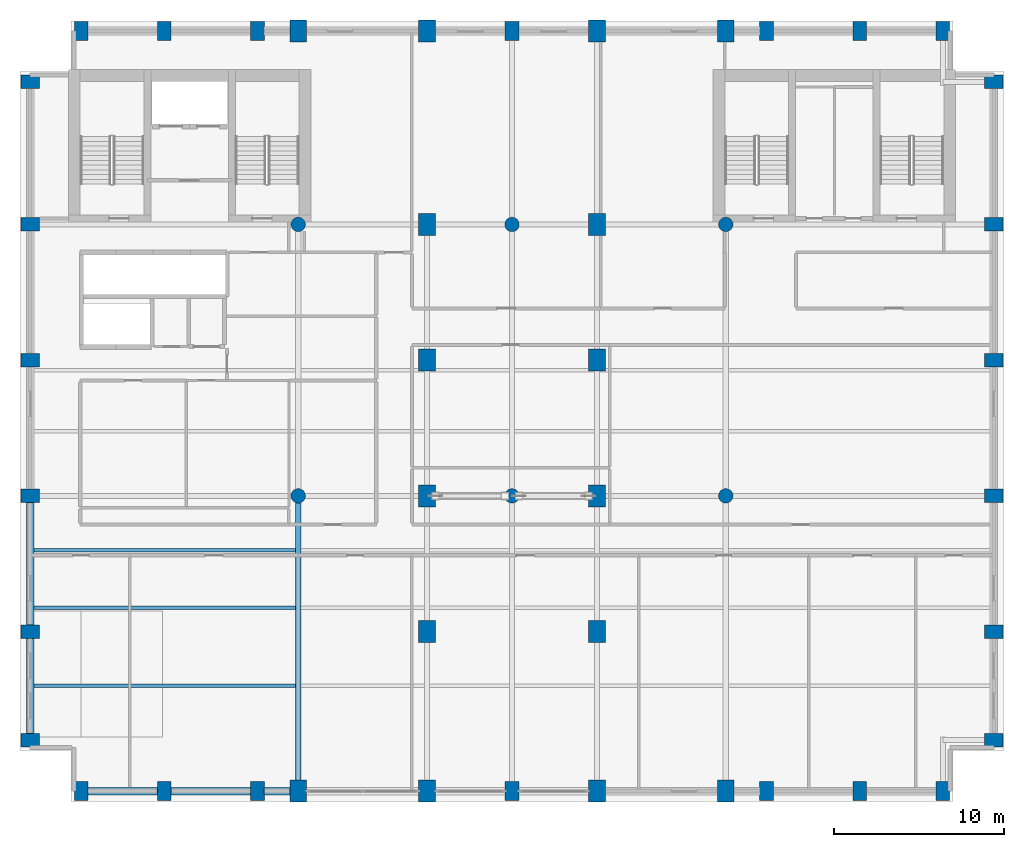
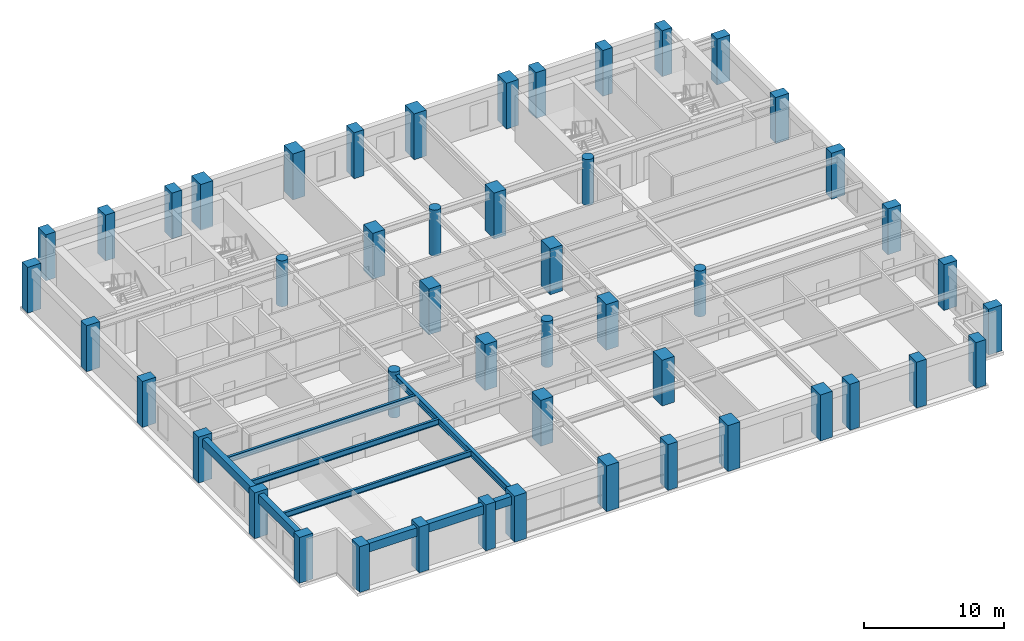
# One storey, part 1 of 13: 48 columns, 9 beams.
"""IFC4 building model written with IfcOpenShell, lengths in metres."""

from ifc_helpers import new_model, si_unit, direction, frame, origin, origin_2d, place, context, subcontext, project, spatial, rectangle, circle, i_section, extrude, material, material_profile, profile_set, type_object, element, save


model = new_model("IFC4")

# Units and contexts
model_context = context("Model", 3, precision=1e-05, world=origin(), true_north=direction((0.0, 1.0)))
body_context = subcontext(model_context, "Body", "Model", "MODEL_VIEW")
ifc_project = project(units=[si_unit("LENGTHUNIT", "METRE"), si_unit("AREAUNIT", "SQUARE_METRE"), si_unit("VOLUMEUNIT", "CUBIC_METRE"), si_unit("PLANEANGLEUNIT", "RADIAN"), si_unit("MASSUNIT", "GRAM", prefix="KILO")], contexts=[model_context])

# Site, building, storey
site_placement = place(None, origin())
site = spatial("IfcSite", under=ifc_project, at=site_placement, CompositionType="ELEMENT")
building_placement = place(site_placement, origin())
building = spatial("IfcBuilding", under=site, at=building_placement, Name="Sulina Concourse Tower", CompositionType="ELEMENT")
storey_placement = place(building_placement, frame((0.0, 0.0, 202.60009765625)))
storey = spatial("IfcBuildingStorey", under=building, at=storey_placement, Name="L49", CompositionType="ELEMENT", Elevation=202.60009765625)

# Columns
ifc_material_1 = material(Name="Precast concrete C60/75", Category="concrete")
ifc_material_profile_1 = material_profile(ifc_material_1, rectangle(XDim=0.800048828125, YDim=1.10009765625, at=origin_2d()), Name="PC 800x1100")
ifc_profile_set_1 = profile_set([ifc_material_profile_1], Name="Precast concrete C60/75")
column_type_1 = type_object("IfcColumnType", Name="Precast Tube Pier Zone 3 800x1100", PredefinedType="COLUMN", material=ifc_profile_set_1)
for number, where, z_axis, x_axis, name in (
    (1, (3.60009765625, 0.60009765625, 0.0), (0.0, 0.0, 1.0), (1.0, 0.0, 0.0), "L49 structural column TP-S-36"),
    (2, (3.60009765625, 45.39990234375, 0.0), (0.0, 0.0, 1.0), (1.0, 0.0, 0.0), "L49 structural column TP-N-36"),
    (3, (8.5, 0.60009765625, 0.0), (0.0, 0.0, 1.0), (1.0, 0.0, 0.0), "L49 structural column TP-S-85"),
    (4, (8.5, 45.39990234375, 0.0), (0.0, 0.0, 1.0), (1.0, 0.0, 0.0), "L49 structural column TP-N-85"),
    (5, (14.0, 0.60009765625, 0.0), (0.0, 0.0, 1.0), (1.0, 0.0, 0.0), "L49 structural column TP-S-140"),
    (6, (14.0, 45.39990234375, 0.0), (0.0, 0.0, 1.0), (1.0, 0.0, 0.0), "L49 structural column TP-N-140"),
    (7, (29.0, 0.60009765625, 0.0), (0.0, 0.0, 1.0), (1.0, 0.0, 0.0), "L49 structural column TP-S-290"),
    (8, (29.0, 45.39990234375, 0.0), (0.0, 0.0, 1.0), (1.0, 0.0, 0.0), "L49 structural column TP-N-290"),
    (9, (44.0, 0.60009765625, 0.0), (0.0, 0.0, 1.0), (1.0, 0.0, 0.0), "L49 structural column TP-S-440"),
    (10, (44.0, 45.39990234375, 0.0), (0.0, 0.0, 1.0), (1.0, 0.0, 0.0), "L49 structural column TP-N-440"),
    (11, (49.5, 0.60009765625, 0.0), (0.0, 0.0, 1.0), (1.0, 0.0, 0.0), "L49 structural column TP-S-495"),
    (12, (49.5, 45.39990234375, 0.0), (0.0, 0.0, 1.0), (1.0, 0.0, 0.0), "L49 structural column TP-N-495"),
    (13, (54.39990234375, 0.60009765625, 0.0), (0.0, 0.0, 1.0), (1.0, 0.0, 0.0), "L49 structural column TP-S-544"),
    (14, (54.39990234375, 45.39990234375, 0.0), (0.0, 0.0, 1.0), (1.0, 0.0, 0.0), "L49 structural column TP-N-544"),
    (15, (0.60009765625, 3.60009765625, 0.0), (0.0, 0.0, 1.0), (0.0, 1.0, 0.0), "L49 structural column TP-W-36"),
    (16, (57.39990234375, 3.60009765625, 0.0), (0.0, 0.0, 1.0), (0.0, 1.0, 0.0), "L49 structural column TP-E-36"),
    (17, (0.60009765625, 10.0, 0.0), (0.0, 0.0, 1.0), (0.0, 1.0, 0.0), "L49 structural column TP-W-100"),
    (18, (57.39990234375, 10.0, 0.0), (0.0, 0.0, 1.0), (0.0, 1.0, 0.0), "L49 structural column TP-E-100"),
    (19, (0.60009765625, 18.0, 0.0), (0.0, 0.0, 1.0), (0.0, 1.0, 0.0), "L49 structural column TP-W-180"),
    (20, (57.39990234375, 18.0, 0.0), (0.0, 0.0, 1.0), (0.0, 1.0, 0.0), "L49 structural column TP-E-180"),
    (21, (0.60009765625, 26.0, 0.0), (0.0, 0.0, 1.0), (0.0, 1.0, 0.0), "L49 structural column TP-W-260"),
    (22, (57.39990234375, 26.0, 0.0), (0.0, 0.0, 1.0), (0.0, 1.0, 0.0), "L49 structural column TP-E-260"),
    (23, (0.60009765625, 34.0, 0.0), (0.0, 0.0, 1.0), (0.0, 1.0, 0.0), "L49 structural column TP-W-340"),
    (24, (57.39990234375, 34.0, 0.0), (0.0, 0.0, 1.0), (0.0, 1.0, 0.0), "L49 structural column TP-E-340"),
    (25, (0.60009765625, 42.39990234375, 0.0), (0.0, 0.0, 1.0), (0.0, 1.0, 0.0), "L49 structural column TP-W-424"),
    (26, (57.39990234375, 42.39990234375, 0.0), (0.0, 0.0, 1.0), (0.0, 1.0, 0.0), "L49 structural column TP-E-424"),
):
    element("IfcColumn", number, at=place(storey_placement, frame(where, z_axis=z_axis, x_axis=x_axis)), inside=storey, type_object=column_type_1, Name=name, PredefinedType="COLUMN", context=body_context, shape_type="SweptSolid", body=[
        extrude(rectangle(XDim=0.800048828125, YDim=1.10009765625, at=origin_2d()), origin(), (0.0, 0.0, 1.0), 4.0),
    ])
ifc_material_2 = material(Name="Concrete C50/60", Category="concrete")
ifc_material_profile_2 = material_profile(ifc_material_2, circle(Radius=0.425048828125, at=origin_2d()), Name="RC D850")
ifc_profile_set_2 = profile_set([ifc_material_profile_2], Name="Concrete C50/60")
column_type_2 = type_object("IfcColumnType", Name="Upper Interior Circular Column D850", PredefinedType="COLUMN", material=ifc_profile_set_2)
for number, where, z_axis, x_axis, name in (
    (27, (16.39990234375, 18.0, 0.0), (0.0, 0.0, 1.0), (1.0, 0.0, 0.0), "L49 structural column IC-M-164"),
    (28, (16.39990234375, 34.0, 0.0), (0.0, 0.0, 1.0), (1.0, 0.0, 0.0), "L49 structural column IC-N-164"),
    (29, (29.0, 18.0, 0.0), (0.0, 0.0, 1.0), (1.0, 0.0, 0.0), "L49 structural column IC-M-290"),
    (30, (29.0, 34.0, 0.0), (0.0, 0.0, 1.0), (1.0, 0.0, 0.0), "L49 structural column IC-N-290"),
    (31, (41.60009765625, 18.0, 0.0), (0.0, 0.0, 1.0), (1.0, 0.0, 0.0), "L49 structural column IC-M-416"),
    (32, (41.60009765625, 34.0, 0.0), (0.0, 0.0, 1.0), (1.0, 0.0, 0.0), "L49 structural column IC-N-416"),
):
    element("IfcColumn", number, at=place(storey_placement, frame(where, z_axis=z_axis, x_axis=x_axis)), inside=storey, type_object=column_type_2, Name=name, PredefinedType="COLUMN", context=body_context, shape_type="SweptSolid", body=[
        extrude(circle(Radius=0.425048828125, at=origin_2d()), origin(), (0.0, 0.0, 1.0), 4.0),
    ])
ifc_material_3 = material(Name="Concrete C60/75", Category="concrete")
ifc_material_profile_3 = material_profile(ifc_material_3, rectangle(XDim=1.0, YDim=1.300048828125, at=origin_2d()), Name="RC 1000x1300")
ifc_profile_set_3 = profile_set([ifc_material_profile_3], Name="Concrete C60/75")
column_type_3 = type_object("IfcColumnType", Name="Upper Portal Column 1000x1300", PredefinedType="COLUMN", material=ifc_profile_set_3)
for number, where, z_axis, x_axis, name in (
    (33, (16.39990234375, 0.60009765625, 0.0), (0.0, 0.0, 1.0), (1.0, 0.0, 0.0), "L49 structural column TP-S-164"),
    (34, (16.39990234375, 45.39990234375, 0.0), (0.0, 0.0, 1.0), (1.0, 0.0, 0.0), "L49 structural column TP-N-164"),
    (35, (24.0, 0.60009765625, 0.0), (0.0, 0.0, 1.0), (1.0, 0.0, 0.0), "L49 structural column TP-S-240"),
    (36, (24.0, 45.39990234375, 0.0), (0.0, 0.0, 1.0), (1.0, 0.0, 0.0), "L49 structural column TP-N-240"),
    (37, (34.0, 0.60009765625, 0.0), (0.0, 0.0, 1.0), (1.0, 0.0, 0.0), "L49 structural column TP-S-340"),
    (38, (34.0, 45.39990234375, 0.0), (0.0, 0.0, 1.0), (1.0, 0.0, 0.0), "L49 structural column TP-N-340"),
    (39, (41.60009765625, 0.60009765625, 0.0), (0.0, 0.0, 1.0), (1.0, 0.0, 0.0), "L49 structural column TP-S-416"),
    (40, (41.60009765625, 45.39990234375, 0.0), (0.0, 0.0, 1.0), (1.0, 0.0, 0.0), "L49 structural column TP-N-416"),
    (41, (24.0, 10.0, 0.0), (0.0, 0.0, 1.0), (1.0, 0.0, 0.0), "L49 structural column UP-FW-10"),
    (42, (34.0, 10.0, 0.0), (0.0, 0.0, 1.0), (1.0, 0.0, 0.0), "L49 structural column UP-FE-10"),
    (43, (24.0, 18.0, 0.0), (0.0, 0.0, 1.0), (1.0, 0.0, 0.0), "L49 structural column UP-FW-18"),
    (44, (34.0, 18.0, 0.0), (0.0, 0.0, 1.0), (1.0, 0.0, 0.0), "L49 structural column UP-FE-18"),
    (45, (24.0, 26.0, 0.0), (0.0, 0.0, 1.0), (1.0, 0.0, 0.0), "L49 structural column UP-FW-26"),
    (46, (34.0, 26.0, 0.0), (0.0, 0.0, 1.0), (1.0, 0.0, 0.0), "L49 structural column UP-FE-26"),
    (47, (24.0, 34.0, 0.0), (0.0, 0.0, 1.0), (1.0, 0.0, 0.0), "L49 structural column UP-FW-34"),
    (48, (34.0, 34.0, 0.0), (0.0, 0.0, 1.0), (1.0, 0.0, 0.0), "L49 structural column UP-FE-34"),
):
    element("IfcColumn", number, at=place(storey_placement, frame(where, z_axis=z_axis, x_axis=x_axis)), inside=storey, type_object=column_type_3, Name=name, PredefinedType="COLUMN", context=body_context, shape_type="SweptSolid", body=[
        extrude(rectangle(XDim=1.0, YDim=1.300048828125, at=origin_2d()), origin(), (0.0, 0.0, 1.0), 4.0),
    ])

# Beams
ifc_material_4 = material(Name="Steel S355", Category="steel")
ifc_material_profile_4 = material_profile(ifc_material_4, i_section(OverallWidth=0.199951171875, OverallDepth=0.5, WebThickness=0.01025390625, FlangeThickness=0.01611328125, at=origin_2d()), Name="IPE 500")
ifc_profile_set_4 = profile_set([ifc_material_profile_4], Name="Steel S355")
beam_type_1 = type_object("IfcBeamType", Name="Composite Floor Joist IPE500", PredefinedType="JOIST", material=ifc_profile_set_4)
for number, where, z_axis, x_axis, name in (
    (49, (0.824951171875, 6.800048828125, 3.5), (1.0, 0.0, 0.0), (0.0, 1.0, 0.0), "FJ-J06-1-L49"),
    (50, (0.824951171875, 11.39990234375, 3.5), (1.0, 0.0, 0.0), (0.0, 1.0, 0.0), "FJ-J11-1-L49"),
    (51, (0.824951171875, 14.800048828125, 3.5), (1.0, 0.0, 0.0), (0.0, 1.0, 0.0), "FJ-J15-1-L49"),
):
    element("IfcBeam", number, at=place(storey_placement, frame(where, z_axis=z_axis, x_axis=x_axis)), inside=storey, type_object=beam_type_1, Name=name, PredefinedType="JOIST", context=body_context, shape_type="SweptSolid", body=[
        extrude(i_section(OverallWidth=0.199951171875, OverallDepth=0.5, WebThickness=0.01025390625, FlangeThickness=0.01611328125, at=origin_2d()), origin(), (0.0, 0.0, 1.0), 15.425048828125),
    ])
ifc_material_5 = material(Name="Steel S355", Category="steel")
ifc_material_profile_5 = material_profile(ifc_material_5, i_section(OverallWidth=0.300048828125, OverallDepth=0.60009765625, WebThickness=0.015380859375, FlangeThickness=0.030029296875, at=origin_2d()), Name="HE 600 B")
ifc_profile_set_5 = profile_set([ifc_material_profile_5], Name="Steel S355")
beam_type_2 = type_object("IfcBeamType", Name="Floor Primary Girder Zone 3 HE600B", PredefinedType="BEAM", material=ifc_profile_set_5)
beam_1_placement = place(storey_placement, frame((16.39990234375, 1.080078125, 3.449951171875), z_axis=(0.0, 1.0, 0.0), x_axis=(-1.0, 0.0, 0.0)))
element("IfcBeam", 52, at=beam_1_placement, inside=storey, type_object=beam_type_2, Name="FG-NSA-16-L49", PredefinedType="BEAM", context=body_context, shape_type="SweptSolid", body=[
    extrude(i_section(OverallWidth=0.300048828125, OverallDepth=0.60009765625, WebThickness=0.015380859375, FlangeThickness=0.030029296875, at=origin_2d()), origin(), (0.0, 0.0, 1.0), 16.514892578125),
])
ifc_material_6 = material(Name="Precast concrete C50/60", Category="concrete")
ifc_material_profile_6 = material_profile(ifc_material_6, rectangle(XDim=0.449951171875, YDim=0.75, at=origin_2d()), Name="RC 450x750")
ifc_profile_set_6 = profile_set([ifc_material_profile_6], Name="Precast concrete C50/60")
beam_type_3 = type_object("IfcBeamType", Name="Upper Precast Spandrel Edge Beam 450x750", PredefinedType="BEAM", material=ifc_profile_set_6)
beam_2_placement = place(storey_placement, frame((3.97998046875, 0.60009765625, 3.375), z_axis=(1.0, 0.0, 0.0), x_axis=(0.0, 1.0, 0.0)))
element("IfcBeam", 53, at=beam_2_placement, inside=storey, type_object=beam_type_3, Name="SP-S1-L49", PredefinedType="BEAM", context=body_context, shape_type="SweptSolid", body=[
    extrude(rectangle(XDim=0.449951171875, YDim=0.75, at=origin_2d()), origin(), (0.0, 0.0, 1.0), 4.14013671875),
])
beam_3_placement = place(storey_placement, frame((8.8798828125, 0.60009765625, 3.375), z_axis=(1.0, 0.0, 0.0), x_axis=(0.0, 1.0, 0.0)))
element("IfcBeam", 54, at=beam_3_placement, inside=storey, type_object=beam_type_3, Name="SP-S2-L49", PredefinedType="BEAM", context=body_context, shape_type="SweptSolid", body=[
    extrude(rectangle(XDim=0.449951171875, YDim=0.75, at=origin_2d()), origin(), (0.0, 0.0, 1.0), 4.740234375),
])
beam_4_placement = place(storey_placement, frame((14.3798828125, 0.60009765625, 3.375), z_axis=(1.0, 0.0, 0.0), x_axis=(0.0, 1.0, 0.0)))
element("IfcBeam", 55, at=beam_4_placement, inside=storey, type_object=beam_type_3, Name="SP-S3-L49", PredefinedType="BEAM", context=body_context, shape_type="SweptSolid", body=[
    extrude(rectangle(XDim=0.449951171875, YDim=0.75, at=origin_2d()), origin(), (0.0, 0.0, 1.0), 1.5400390625),
])
beam_5_placement = place(storey_placement, frame((0.60009765625, 3.97998046875, 3.375), z_axis=(0.0, 1.0, 0.0), x_axis=(-1.0, 0.0, 0.0)))
element("IfcBeam", 56, at=beam_5_placement, inside=storey, type_object=beam_type_3, Name="SP-W1-L49", PredefinedType="BEAM", context=body_context, shape_type="SweptSolid", body=[
    extrude(rectangle(XDim=0.449951171875, YDim=0.75, at=origin_2d()), origin(), (0.0, 0.0, 1.0), 5.64013671875),
])
beam_6_placement = place(storey_placement, frame((0.60009765625, 10.3798828125, 3.375), z_axis=(0.0, 1.0, 0.0), x_axis=(-1.0, 0.0, 0.0)))
element("IfcBeam", 57, at=beam_6_placement, inside=storey, type_object=beam_type_3, Name="SP-W2-L49", PredefinedType="BEAM", context=body_context, shape_type="SweptSolid", body=[
    extrude(rectangle(XDim=0.449951171875, YDim=0.75, at=origin_2d()), origin(), (0.0, 0.0, 1.0), 7.240234375),
])

save(model, "model.ifc")
